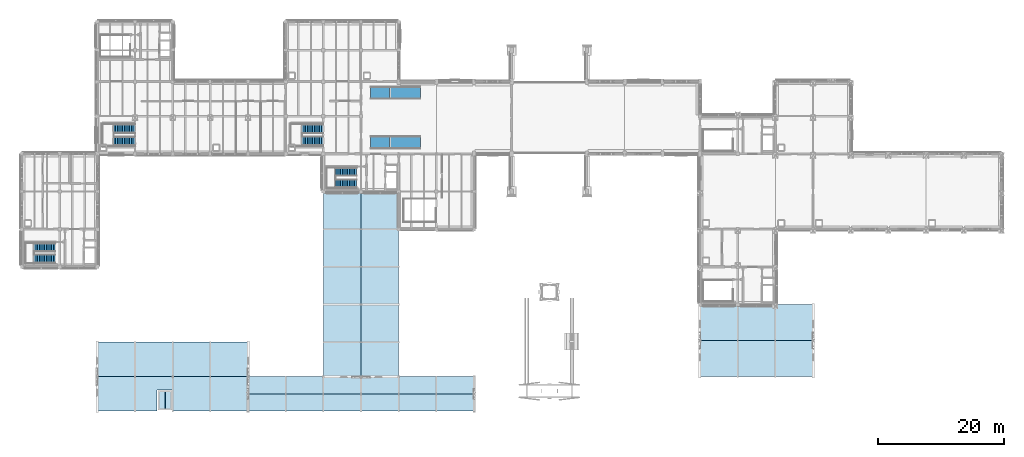
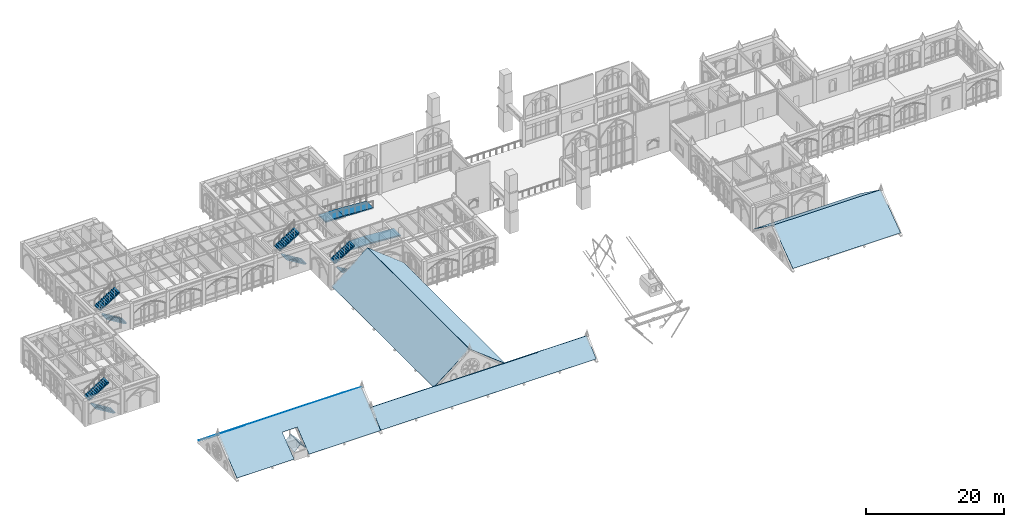
# One storey, part 81 of 108: 10 roofs, 8 stair flights, 4 ramp flights, 6 elements without a shape of their own.
"""IFC4 building model written with IfcOpenShell, lengths in metres."""

from ifc_helpers import new_model, si_unit, direction, frame, origin, origin_2d, place, context, subcontext, project, spatial, polyline, rectangle, outline, extrude, material, type_object, element, aggregate, save


model = new_model("IFC4")

# Units and contexts
model_context = context("Model", 3, precision=1e-05, world=origin(), true_north=direction((0.0, 1.0)))
body_context = subcontext(model_context, "Body", "Model", "MODEL_VIEW")
ifc_project = project(units=[si_unit("LENGTHUNIT", "METRE"), si_unit("AREAUNIT", "SQUARE_METRE"), si_unit("VOLUMEUNIT", "CUBIC_METRE"), si_unit("PLANEANGLEUNIT", "RADIAN"), si_unit("MASSUNIT", "GRAM", prefix="KILO")], contexts=[model_context])

# Site, building, storey
site_placement = place(None, origin())
site = spatial("IfcSite", under=ifc_project, at=site_placement, CompositionType="ELEMENT")
building_placement = place(site_placement, origin())
building = spatial("IfcBuilding", under=site, at=building_placement, Name="Cumevento Cable Car Station", CompositionType="ELEMENT")
storey_placement = place(building_placement, frame((0.0, 0.0, 13.5)))
storey = spatial("IfcBuildingStorey", under=building, at=storey_placement, Name="L04", CompositionType="ELEMENT", Elevation=13.5)

# Stair, stair flights
ifc_material_1 = material(Name="Concrete C40/50", Category="concrete")
stair_type_1 = type_object("IfcStairType", Name="Half-Turn Stair ST-T04 1350", PredefinedType="HALF_TURN_STAIR", material=ifc_material_1)
stair_1_placement = place(storey_placement, origin())
stair_1 = element("IfcStair", 1, at=stair_1_placement, inside=storey, type_object=stair_type_1, Name="Enclosed Exit Stair ST-01 (L04 to L05)", PredefinedType="HALF_TURN_STAIR")
ifc_material_2 = material(Name="Concrete C40/50", Category="concrete")
stair_flight_type_1 = type_object("IfcStairFlightType", Name="Stair Flight STF-T04 1350", PredefinedType="STRAIGHT", material=ifc_material_2)
stair_flight_1_placement = place(storey_placement, frame((63.280029296875, 40.235107421875, 0.0), z_axis=(0.0, 0.0, 1.0), x_axis=(-1.0, 0.0, 0.0)))
stair_flight_1 = element("IfcStairFlight", 2, at=stair_flight_1_placement, type_object=stair_flight_type_1, Name="ST-01-L04 Flight 1", NumberOfRisers=13, NumberOfTreads=12, PredefinedType="STRAIGHT", RiserHeight=0.173076923, TreadLength=0.28, context=body_context, shape_type="SweptSolid", body=[
    extrude(outline(polyline([(0.0, 0.0), (0.0, 0.173095703125), (0.280029296875, 0.173095703125), (0.280029296875, 0.34619140625), (0.56005859375, 0.34619140625), (0.56005859375, 0.519287109375), (0.840087890625, 0.519287109375), (0.840087890625, 0.6923828125), (1.1201171875, 0.6923828125), (1.1201171875, 0.865478515625), (1.39990234375, 0.865478515625), (1.39990234375, 1.03857421875), (1.679931640625, 1.03857421875), (1.679931640625, 1.21142578125), (1.9599609375, 1.21142578125), (1.9599609375, 1.384521484375), (2.239990234375, 1.384521484375), (2.239990234375, 1.5576171875), (2.52001953125, 1.5576171875), (2.52001953125, 1.730712890625), (2.800048828125, 1.730712890625), (2.800048828125, 1.90380859375), (3.080078125, 1.90380859375), (3.080078125, 2.076904296875), (3.360107421875, 2.076904296875), (3.360107421875, 2.25), (3.360107421875, 1.888916015625), (0.30419921875, 0.0), (0.0, 0.0)])), frame((0.0, 0.675048828125, 0.0), z_axis=(0.0, -1.0, 0.0), x_axis=(1.0, 0.0, 0.0)), (0.0, 0.0, 1.0), 1.35009765625),
])
stair_flight_2_placement = place(storey_placement, frame((59.919921875, 42.135009765625, 2.25), z_axis=(0.0, 0.0, 1.0), x_axis=(1.0, 0.0, 0.0)))
stair_flight_2 = element("IfcStairFlight", 3, at=stair_flight_2_placement, type_object=stair_flight_type_1, Name="ST-01-L04 Flight 2", NumberOfRisers=13, NumberOfTreads=12, PredefinedType="STRAIGHT", RiserHeight=0.173076923, TreadLength=0.28, context=body_context, shape_type="SweptSolid", body=[
    extrude(outline(polyline([(0.0, 0.0), (0.0, 0.173095703125), (0.280029296875, 0.173095703125), (0.280029296875, 0.34619140625), (0.56005859375, 0.34619140625), (0.56005859375, 0.519287109375), (0.840087890625, 0.519287109375), (0.840087890625, 0.6923828125), (1.1201171875, 0.6923828125), (1.1201171875, 0.865478515625), (1.39990234375, 0.865478515625), (1.39990234375, 1.03857421875), (1.679931640625, 1.03857421875), (1.679931640625, 1.21142578125), (1.9599609375, 1.21142578125), (1.9599609375, 1.384521484375), (2.239990234375, 1.384521484375), (2.239990234375, 1.5576171875), (2.52001953125, 1.5576171875), (2.52001953125, 1.730712890625), (2.800048828125, 1.730712890625), (2.800048828125, 1.90380859375), (3.080078125, 1.90380859375), (3.080078125, 2.076904296875), (3.360107421875, 2.076904296875), (3.360107421875, 2.25), (3.360107421875, 1.888916015625), (0.30419921875, 0.0), (0.0, 0.0)])), frame((0.0, 0.675048828125, 0.0), z_axis=(0.0, -1.0, 0.0), x_axis=(1.0, 0.0, 0.0)), (0.0, 0.0, 1.0), 1.35009765625),
])
aggregate(stair_1, [stair_flight_1, stair_flight_2])

ifc_material_3 = material(Name="Concrete C40/50", Category="concrete")
stair_type_2 = type_object("IfcStairType", Name="Half-Turn Stair ST-T06 1410", PredefinedType="HALF_TURN_STAIR", material=ifc_material_3)
stair_2_placement = place(storey_placement, origin())
stair_2 = element("IfcStair", 4, at=stair_2_placement, inside=storey, type_object=stair_type_2, Name="Enclosed Exit Stair ST-03 (L04 to L05)", PredefinedType="HALF_TURN_STAIR")
ifc_material_4 = material(Name="Concrete C40/50", Category="concrete")
stair_flight_type_2 = type_object("IfcStairFlightType", Name="Stair Flight STF-T06 1410", PredefinedType="STRAIGHT", material=ifc_material_4)
stair_flight_3_placement = place(storey_placement, frame((15.280029296875, 28.264892578125, 0.0), z_axis=(0.0, 0.0, 1.0), x_axis=(-1.0, 0.0, 0.0)))
stair_flight_3 = element("IfcStairFlight", 5, at=stair_flight_3_placement, type_object=stair_flight_type_2, Name="ST-03-L04 Flight 1", NumberOfRisers=13, NumberOfTreads=12, PredefinedType="STRAIGHT", RiserHeight=0.173076923, TreadLength=0.28, context=body_context, shape_type="SweptSolid", body=[
    extrude(outline(polyline([(0.0, 0.0), (0.0, 0.173095703125), (0.280029296875, 0.173095703125), (0.280029296875, 0.34619140625), (0.56005859375, 0.34619140625), (0.56005859375, 0.519287109375), (0.840087890625, 0.519287109375), (0.840087890625, 0.6923828125), (1.1201171875, 0.6923828125), (1.1201171875, 0.865478515625), (1.39990234375, 0.865478515625), (1.39990234375, 1.03857421875), (1.679931640625, 1.03857421875), (1.679931640625, 1.21142578125), (1.9599609375, 1.21142578125), (1.9599609375, 1.384521484375), (2.239990234375, 1.384521484375), (2.239990234375, 1.5576171875), (2.52001953125, 1.5576171875), (2.52001953125, 1.730712890625), (2.800048828125, 1.730712890625), (2.800048828125, 1.90380859375), (3.080078125, 1.90380859375), (3.080078125, 2.076904296875), (3.360107421875, 2.076904296875), (3.360107421875, 2.25), (3.360107421875, 1.888916015625), (0.30419921875, 0.0), (0.0, 0.0)])), frame((0.0, 0.705078125, 0.0), z_axis=(0.0, -1.0, 0.0), x_axis=(1.0, 0.0, 0.0)), (0.0, 0.0, 1.0), 1.409912109375),
])
stair_flight_4_placement = place(storey_placement, frame((11.919921875, 30.10498046875, 2.25), z_axis=(0.0, 0.0, 1.0), x_axis=(1.0, 0.0, 0.0)))
stair_flight_4 = element("IfcStairFlight", 6, at=stair_flight_4_placement, type_object=stair_flight_type_2, Name="ST-03-L04 Flight 2", NumberOfRisers=13, NumberOfTreads=12, PredefinedType="STRAIGHT", RiserHeight=0.173076923, TreadLength=0.28, context=body_context, shape_type="SweptSolid", body=[
    extrude(outline(polyline([(0.0, 0.0), (0.0, 0.173095703125), (0.280029296875, 0.173095703125), (0.280029296875, 0.34619140625), (0.56005859375, 0.34619140625), (0.56005859375, 0.519287109375), (0.840087890625, 0.519287109375), (0.840087890625, 0.6923828125), (1.1201171875, 0.6923828125), (1.1201171875, 0.865478515625), (1.39990234375, 0.865478515625), (1.39990234375, 1.03857421875), (1.679931640625, 1.03857421875), (1.679931640625, 1.21142578125), (1.9599609375, 1.21142578125), (1.9599609375, 1.384521484375), (2.239990234375, 1.384521484375), (2.239990234375, 1.5576171875), (2.52001953125, 1.5576171875), (2.52001953125, 1.730712890625), (2.800048828125, 1.730712890625), (2.800048828125, 1.90380859375), (3.080078125, 1.90380859375), (3.080078125, 2.076904296875), (3.360107421875, 2.076904296875), (3.360107421875, 2.25), (3.360107421875, 1.888916015625), (0.30419921875, 0.0), (0.0, 0.0)])), frame((0.0, 0.705078125, 0.0), z_axis=(0.0, -1.0, 0.0), x_axis=(1.0, 0.0, 0.0)), (0.0, 0.0, 1.0), 1.409912109375),
])
aggregate(stair_2, [stair_flight_3, stair_flight_4])

ifc_material_5 = material(Name="Concrete C40/50", Category="concrete")
stair_type_3 = type_object("IfcStairType", Name="Half-Turn Stair ST-T09 1500", PredefinedType="HALF_TURN_STAIR", material=ifc_material_5)
stair_3_placement = place(storey_placement, origin())
stair_3 = element("IfcStair", 7, at=stair_3_placement, inside=storey, type_object=stair_type_3, Name="Belvedere Restaurant Stair L04-L05", PredefinedType="HALF_TURN_STAIR")
ifc_material_6 = material(Name="Concrete C40/50", Category="concrete")
stair_flight_type_3 = type_object("IfcStairFlightType", Name="Stair Flight STF-T09 1500", PredefinedType="STRAIGHT", material=ifc_material_6)
stair_flight_5_placement = place(storey_placement, frame((27.97998046875, 46.989990234375, 0.0), z_axis=(0.0, 0.0, 1.0), x_axis=(-1.0, 0.0, 0.0)))
stair_flight_5 = element("IfcStairFlight", 8, at=stair_flight_5_placement, type_object=stair_flight_type_3, Name="ST-12 Flight 1", NumberOfRisers=13, NumberOfTreads=12, PredefinedType="STRAIGHT", RiserHeight=0.173076923, TreadLength=0.28, context=body_context, shape_type="SweptSolid", body=[
    extrude(outline(polyline([(0.0, 0.0), (0.0, 0.173095703125), (0.280029296875, 0.173095703125), (0.280029296875, 0.34619140625), (0.56005859375, 0.34619140625), (0.56005859375, 0.519287109375), (0.840087890625, 0.519287109375), (0.840087890625, 0.6923828125), (1.1201171875, 0.6923828125), (1.1201171875, 0.865478515625), (1.39990234375, 0.865478515625), (1.39990234375, 1.03857421875), (1.679931640625, 1.03857421875), (1.679931640625, 1.21142578125), (1.9599609375, 1.21142578125), (1.9599609375, 1.384521484375), (2.239990234375, 1.384521484375), (2.239990234375, 1.5576171875), (2.52001953125, 1.5576171875), (2.52001953125, 1.730712890625), (2.800048828125, 1.730712890625), (2.800048828125, 1.90380859375), (3.080078125, 1.90380859375), (3.080078125, 2.076904296875), (3.360107421875, 2.076904296875), (3.360107421875, 2.25), (3.360107421875, 1.888916015625), (0.30419921875, 0.0), (0.0, 0.0)])), frame((0.0, 0.75, 0.0), z_axis=(0.0, -1.0, 0.0), x_axis=(1.0, 0.0, 0.0)), (0.0, 0.0, 1.0), 1.5),
])
stair_flight_6_placement = place(storey_placement, frame((24.6201171875, 49.010009765625, 2.25), z_axis=(0.0, 0.0, 1.0), x_axis=(1.0, 0.0, 0.0)))
stair_flight_6 = element("IfcStairFlight", 9, at=stair_flight_6_placement, type_object=stair_flight_type_3, Name="ST-12 Flight 2", NumberOfRisers=13, NumberOfTreads=12, PredefinedType="STRAIGHT", RiserHeight=0.173076923, TreadLength=0.28, context=body_context, shape_type="SweptSolid", body=[
    extrude(outline(polyline([(0.0, 0.0), (0.0, 0.173095703125), (0.280029296875, 0.173095703125), (0.280029296875, 0.34619140625), (0.56005859375, 0.34619140625), (0.56005859375, 0.519287109375), (0.840087890625, 0.519287109375), (0.840087890625, 0.6923828125), (1.1201171875, 0.6923828125), (1.1201171875, 0.865478515625), (1.39990234375, 0.865478515625), (1.39990234375, 1.03857421875), (1.679931640625, 1.03857421875), (1.679931640625, 1.21142578125), (1.9599609375, 1.21142578125), (1.9599609375, 1.384521484375), (2.239990234375, 1.384521484375), (2.239990234375, 1.5576171875), (2.52001953125, 1.5576171875), (2.52001953125, 1.730712890625), (2.800048828125, 1.730712890625), (2.800048828125, 1.90380859375), (3.080078125, 1.90380859375), (3.080078125, 2.076904296875), (3.360107421875, 2.076904296875), (3.360107421875, 2.25), (3.360107421875, 1.888916015625), (0.30419921875, 0.0), (0.0, 0.0)])), frame((0.0, 0.75, 0.0), z_axis=(0.0, -1.0, 0.0), x_axis=(1.0, 0.0, 0.0)), (0.0, 0.0, 1.0), 1.5),
])
aggregate(stair_3, [stair_flight_5, stair_flight_6])

ifc_material_7 = material(Name="Concrete C40/50", Category="concrete")
stair_type_4 = type_object("IfcStairType", Name="Half-Turn Stair ST-T10 1530", PredefinedType="HALF_TURN_STAIR", material=ifc_material_7)
stair_4_placement = place(storey_placement, origin())
stair_4 = element("IfcStair", 10, at=stair_4_placement, inside=storey, type_object=stair_type_4, Name="Boarding to Line Control Stair L04-L05", PredefinedType="HALF_TURN_STAIR")
ifc_material_8 = material(Name="Concrete C40/50", Category="concrete")
stair_flight_type_4 = type_object("IfcStairFlightType", Name="Stair Flight STF-T10 1530", PredefinedType="STRAIGHT", material=ifc_material_8)
stair_flight_7_placement = place(storey_placement, frame((57.97998046875, 47.0048828125, 0.0), z_axis=(0.0, 0.0, 1.0), x_axis=(-1.0, 0.0, 0.0)))
stair_flight_7 = element("IfcStairFlight", 11, at=stair_flight_7_placement, type_object=stair_flight_type_4, Name="ST-13 Flight 1", NumberOfRisers=13, NumberOfTreads=12, PredefinedType="STRAIGHT", RiserHeight=0.173076923, TreadLength=0.28, context=body_context, shape_type="SweptSolid", body=[
    extrude(outline(polyline([(0.0, 0.0), (0.0, 0.173095703125), (0.280029296875, 0.173095703125), (0.280029296875, 0.34619140625), (0.56005859375, 0.34619140625), (0.56005859375, 0.519287109375), (0.840087890625, 0.519287109375), (0.840087890625, 0.6923828125), (1.1201171875, 0.6923828125), (1.1201171875, 0.865478515625), (1.39990234375, 0.865478515625), (1.39990234375, 1.03857421875), (1.679931640625, 1.03857421875), (1.679931640625, 1.21142578125), (1.9599609375, 1.21142578125), (1.9599609375, 1.384521484375), (2.239990234375, 1.384521484375), (2.239990234375, 1.5576171875), (2.52001953125, 1.5576171875), (2.52001953125, 1.730712890625), (2.800048828125, 1.730712890625), (2.800048828125, 1.90380859375), (3.080078125, 1.90380859375), (3.080078125, 2.076904296875), (3.360107421875, 2.076904296875), (3.360107421875, 2.25), (3.360107421875, 1.888916015625), (0.30419921875, 0.0), (0.0, 0.0)])), frame((0.0, 0.76513671875, 0.0), z_axis=(0.0, -1.0, 0.0), x_axis=(1.0, 0.0, 0.0)), (0.0, 0.0, 1.0), 1.530029296875),
])
stair_flight_8_placement = place(storey_placement, frame((54.6201171875, 48.9951171875, 2.25), z_axis=(0.0, 0.0, 1.0), x_axis=(1.0, 0.0, 0.0)))
stair_flight_8 = element("IfcStairFlight", 12, at=stair_flight_8_placement, type_object=stair_flight_type_4, Name="ST-13 Flight 2", NumberOfRisers=13, NumberOfTreads=12, PredefinedType="STRAIGHT", RiserHeight=0.173076923, TreadLength=0.28, context=body_context, shape_type="SweptSolid", body=[
    extrude(outline(polyline([(0.0, 0.0), (0.0, 0.173095703125), (0.280029296875, 0.173095703125), (0.280029296875, 0.34619140625), (0.56005859375, 0.34619140625), (0.56005859375, 0.519287109375), (0.840087890625, 0.519287109375), (0.840087890625, 0.6923828125), (1.1201171875, 0.6923828125), (1.1201171875, 0.865478515625), (1.39990234375, 0.865478515625), (1.39990234375, 1.03857421875), (1.679931640625, 1.03857421875), (1.679931640625, 1.21142578125), (1.9599609375, 1.21142578125), (1.9599609375, 1.384521484375), (2.239990234375, 1.384521484375), (2.239990234375, 1.5576171875), (2.52001953125, 1.5576171875), (2.52001953125, 1.730712890625), (2.800048828125, 1.730712890625), (2.800048828125, 1.90380859375), (3.080078125, 1.90380859375), (3.080078125, 2.076904296875), (3.360107421875, 2.076904296875), (3.360107421875, 2.25), (3.360107421875, 1.888916015625), (0.30419921875, 0.0), (0.0, 0.0)])), frame((0.0, 0.76513671875, 0.0), z_axis=(0.0, -1.0, 0.0), x_axis=(1.0, 0.0, 0.0)), (0.0, 0.0, 1.0), 1.530029296875),
])
aggregate(stair_4, [stair_flight_7, stair_flight_8])

# Ramp, ramp flights
ifc_material_9 = material(Name="Concrete C40/50", Category="concrete")
ramp_type = type_object("IfcRampType", Name="Concrete Ramp RP-TYP", PredefinedType="STRAIGHT_RUN_RAMP", material=ifc_material_9)
ramp_1_placement = place(storey_placement, origin())
ramp_1 = element("IfcRamp", 13, at=ramp_1_placement, inside=storey, type_object=ramp_type, Name="Departure Boarding Contour Ramp RP-05", PredefinedType="STRAIGHT_RUN_RAMP")
ifc_material_10 = material(Name="Concrete C40/50", Category="concrete")
ramp_flight_type = type_object("IfcRampFlightType", Name="Concrete Ramp Flight RPF-TYP", PredefinedType="STRAIGHT", material=ifc_material_10)
ramp_flight_1_placement = place(storey_placement, frame((68.419921875, 46.800048828125, 0.360107421875), z_axis=(0.0, 0.0, 1.0), x_axis=(1.0, 0.0, 0.0)))
ramp_flight_1 = element("IfcRampFlight", 14, at=ramp_flight_1_placement, type_object=ramp_flight_type, Name="Departure Boarding Contour Ramp RP-05 Sloped Flight", PredefinedType="STRAIGHT", context=body_context, shape_type="SweptSolid", body=[
    extrude(outline(polyline([(0.0, 0.0), (5.080078125, -0.360107421875), (5.080078125, -0.580078125), (0.0, -0.219970703125), (0.0, 0.0)])), frame((0.0, 1.0, 0.0), z_axis=(0.0, -1.0, 0.0), x_axis=(1.0, 0.0, 0.0)), (0.0, 0.0, 1.0), 2.0),
])
ramp_flight_2_placement = place(storey_placement, frame((67.0, 46.800048828125, 0.139892578125), z_axis=(0.0, 0.0, 1.0), x_axis=(1.0, 0.0, 0.0)))
ramp_flight_2 = element("IfcRampFlight", 15, at=ramp_flight_2_placement, type_object=ramp_flight_type, Name="Departure Boarding Contour Ramp RP-05 Top Landing", PredefinedType="STRAIGHT", context=body_context, shape_type="SweptSolid", body=[
    extrude(rectangle(XDim=3.0, YDim=2.0, at=origin_2d()), origin(), (0.0, 0.0, 1.0), 0.219970703125),
])
aggregate(ramp_1, [ramp_flight_1, ramp_flight_2])

ramp_2_placement = place(storey_placement, origin())
ramp_2 = element("IfcRamp", 16, at=ramp_2_placement, inside=storey, type_object=ramp_type, Name="Alighting Platform Contour Ramp RP-06", PredefinedType="STRAIGHT_RUN_RAMP")
ramp_flight_3_placement = place(storey_placement, frame((68.419921875, 54.699951171875, 0.360107421875), z_axis=(0.0, 0.0, 1.0), x_axis=(1.0, 0.0, 0.0)))
ramp_flight_3 = element("IfcRampFlight", 17, at=ramp_flight_3_placement, type_object=ramp_flight_type, Name="Alighting Platform Contour Ramp RP-06 Sloped Flight", PredefinedType="STRAIGHT", context=body_context, shape_type="SweptSolid", body=[
    extrude(outline(polyline([(0.0, 0.0), (5.080078125, -0.360107421875), (5.080078125, -0.580078125), (0.0, -0.219970703125), (0.0, 0.0)])), frame((0.0, 1.0, 0.0), z_axis=(0.0, -1.0, 0.0), x_axis=(1.0, 0.0, 0.0)), (0.0, 0.0, 1.0), 2.0),
])
ramp_flight_4_placement = place(storey_placement, frame((67.0, 54.699951171875, 0.139892578125), z_axis=(0.0, 0.0, 1.0), x_axis=(1.0, 0.0, 0.0)))
ramp_flight_4 = element("IfcRampFlight", 18, at=ramp_flight_4_placement, type_object=ramp_flight_type, Name="Alighting Platform Contour Ramp RP-06 Top Landing", PredefinedType="STRAIGHT", context=body_context, shape_type="SweptSolid", body=[
    extrude(rectangle(XDim=3.0, YDim=2.0, at=origin_2d()), origin(), (0.0, 0.0, 1.0), 0.219970703125),
])
aggregate(ramp_2, [ramp_flight_3, ramp_flight_4])

# Roofs
ifc_material_11 = material(Name="Standing-Seam Zinc-Titanium Roof Sheet", Category="steel")
roof_type = type_object("IfcRoofType", Name="Gable Roof Ridge Cap RFA-G1", PredefinedType="GABLE_ROOF", material=ifc_material_11)
roof_1_placement = place(storey_placement, frame((22.0, 9.5, 4.787841796875), z_axis=(0.0, -0.620323998885, 0.784345674054), x_axis=(1.0, 0.0, 0.0)))
element("IfcRoof", 19, at=roof_1_placement, inside=storey, type_object=roof_type, Name="Gable Sloped Roof Assembly #23", PredefinedType="GABLE_ROOF", context=body_context, shape_type="SweptSolid", body=[
    extrude(outline(polyline([(0.0, 0.0), (24.0, 0.0), (24.0, -7.012219734673824), (12.0400390625, -7.012219734673824), (12.0400390625, -2.651945372907165), (9.5400390625, -2.651945372907165), (9.5400390625, -7.012219734673824), (0.0, -7.012219734673824), (0.0, 0.0)])), origin(), (0.0, 0.0, -1.0), 0.0400390625),
])
roof_2_placement = place(storey_placement, frame((22.0, 9.5, 4.787841796875), z_axis=(0.0, 0.620324758808, 0.784345073045), x_axis=(1.0, 0.0, 0.0)))
element("IfcRoof", 20, at=roof_2_placement, inside=storey, type_object=roof_type, Name="Gable Sloped Roof Assembly #24", PredefinedType="GABLE_ROOF", context=body_context, shape_type="SweptSolid", body=[
    extrude(outline(polyline([(0.0, 0.0), (24.0, 0.0), (24.0, 7.012219734677114), (0.0, 7.012219734677114), (0.0, 0.0)])), origin(), (0.0, 0.0, -1.0), 0.0400390625),
])
for number, where, z_axis, x_axis, name in (
    (21, (46.0, 4.0, 0.474365234375), (0.0, -0.665198651008, 0.746666427997), (1.0, 0.0, 0.0), "Gable Sloped Roof Assembly #25"),
    (22, (46.0, 6.75, 2.92431640625), (0.0, 0.665198651008, 0.746666427997), (1.0, 0.0, 0.0), "Gable Sloped Roof Assembly #26"),
):
    element("IfcRoof", number, at=place(storey_placement, frame(where, z_axis=z_axis, x_axis=x_axis)), inside=storey, type_object=roof_type, Name=name, PredefinedType="GABLE_ROOF", context=body_context, shape_type="SweptSolid", body=[
        extrude(outline(polyline([(0.0, 0.0), (36.0, 0.0), (36.0, 3.68303689155725), (0.0, 3.68303689155725), (0.0, 0.0)])), origin(), (0.0, 0.0, -1.0), 0.0400390625),
    ])
for number, where, z_axis, x_axis, name in (
    (23, (58.0, 39.0, 0.50634765625), (-0.616651379076, 0.0, 0.787236353761), (0.0, -1.0, 0.0), "Gable Sloped Roof Assembly #27"),
    (24, (64.0048828125, 39.0, 5.202392578125), (0.616651379076, 0.0, 0.787236353761), (0.0, -1.0, 0.0), "Gable Sloped Roof Assembly #28"),
):
    element("IfcRoof", number, at=place(storey_placement, frame(where, z_axis=z_axis, x_axis=x_axis)), inside=storey, type_object=roof_type, Name=name, PredefinedType="GABLE_ROOF", context=body_context, shape_type="SweptSolid", body=[
        extrude(outline(polyline([(0.0, 0.0), (29.5, 0.0), (29.5, 7.615396772337334), (0.0, 7.615396772337334), (0.0, 0.0)])), origin(), (0.0, 0.0, -1.0), 0.0400390625),
    ])
for number, where, z_axis, x_axis, name in (
    (25, (118.0, 9.5, 0.492431640625), (0.0, -0.585246666052, 0.810855313774), (1.0, 0.0, 0.0), "Gable Sloped Roof Assembly #43"),
    (26, (118.0, 15.25, 4.642578125), (0.0, 0.585246666052, 0.810855313774), (1.0, 0.0, 0.0), "Gable Sloped Roof Assembly #44"),
):
    element("IfcRoof", number, at=place(storey_placement, frame(where, z_axis=z_axis, x_axis=x_axis)), inside=storey, type_object=roof_type, Name=name, PredefinedType="GABLE_ROOF", context=body_context, shape_type="SweptSolid", body=[
        extrude(outline(polyline([(0.0, 0.0), (18.0, 0.0), (18.0, 7.091277447806577), (0.0, 7.091277447806577), (0.0, 0.0)])), origin(), (0.0, 0.0, -1.0), 0.0400390625),
    ])
for number, where, z_axis, x_axis, name in (
    (27, (31.760009765625, 7.199951171875, 1.43505859375), (-0.723596918507, 0.0, 0.690222789777), (0.0, -1.0, 0.0), "Lift Headhouse Gothic Gable Cap #2W"),
    (28, (32.7900390625, 7.199951171875, 2.514892578125), (0.723596918507, 0.0, 0.690222789777), (0.0, -1.0, 0.0), "Lift Headhouse Gothic Gable Cap #2E"),
):
    element("IfcRoof", number, at=place(storey_placement, frame(where, z_axis=z_axis, x_axis=x_axis)), inside=storey, type_object=roof_type, Name=name, PredefinedType="GABLE_ROOF", context=body_context, shape_type="SweptSolid", body=[
        extrude(outline(polyline([(0.0, 0.0), (2.89990234375, 0.0), (2.89990234375, 1.4923142384337136), (0.0, 1.4923142384337136), (0.0, 0.0)])), origin(), (0.0, 0.0, -1.0), 0.044921875),
    ])

save(model, "model.ifc")
